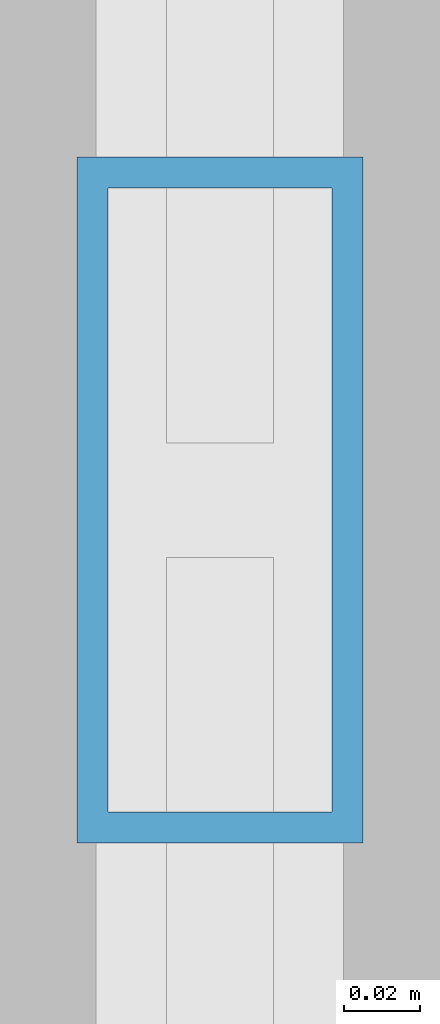
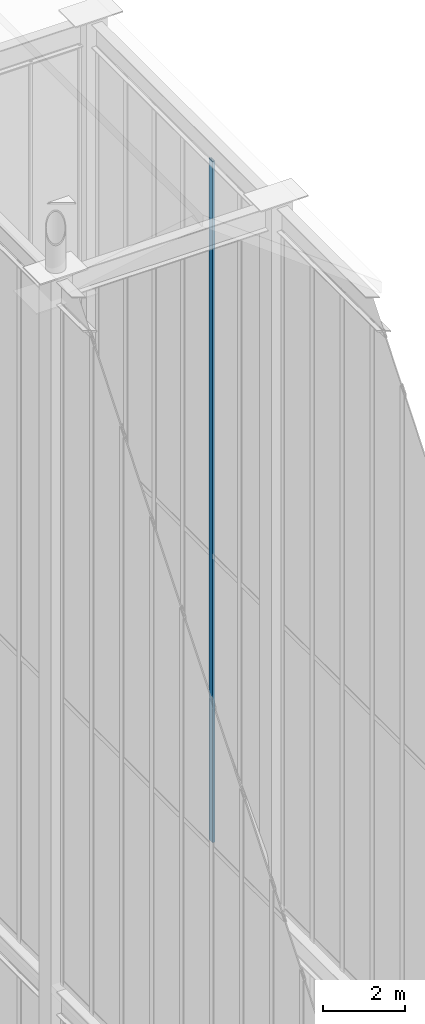
# One storey, part 97 of 135: 1 member, 1 element without a shape of its own.
"""IFC4 building model written with IfcOpenShell, lengths in metres."""

import ifcopenshell
import ifcopenshell.guid

model = None  # the IFC model being written
_history = None  # IfcOwnerHistory: only IFC2X3 demands one
_inside = {}  # id of a spatial element -> (the spatial element, [elements in it])
_under = {}  # id of a project, library or spatial element -> (it, [spatial elements below it])
_declared = {}  # id of a project -> (the project, [libraries it declares])
_typed = {}  # id of a type object -> (the type object, [elements of that type])
_made_of = {}  # id of a material, layer set ... -> (it, [elements and type objects made of it])


def new_model(schema):
    """Start an empty IFC model of exactly this schema.

    Asked for "IFC4X3", IfcOpenShell would pick the latest addendum, in which some entities
    have other attributes; the version numbers below select the first issue.
    IFC2X3 requires an IfcOwnerHistory on every rooted entity: one is made here for all.
    """
    global model, _history
    if schema == "IFC4X3":
        model = ifcopenshell.file(schema_version=(4, 3, 0, 0))
    else:
        model = ifcopenshell.file(schema=schema)
    _inside.clear()
    _under.clear()
    _declared.clear()
    _typed.clear()
    _made_of.clear()
    _history = None
    if model.schema == "IFC2X3":
        org = make("IfcOrganization", Name="unknown")
        user = make(
            "IfcPersonAndOrganization",
            ThePerson=make("IfcPerson", FamilyName="unknown"),
            TheOrganization=org,
        )
        app = make(
            "IfcApplication",
            ApplicationDeveloper=org,
            Version="unknown",
            ApplicationFullName="unknown",
            ApplicationIdentifier="unknown",
        )
        _history = make(
            "IfcOwnerHistory",
            OwningUser=user,
            OwningApplication=app,
            ChangeAction="ADDED",
            CreationDate=0,
        )
    return model


def make(cls, **values):
    """One entity of the class cls with the attributes given. An attribute that is None is left unset."""
    return model.create_entity(
        cls, **{name: value for name, value in values.items() if value is not None}
    )


def rooted(cls, **values):
    """An entity with a GlobalId (a new one), such as an element, a storey or a relation."""
    return make(cls, GlobalId=ifcopenshell.guid.new(), OwnerHistory=_history, **values)


def si_unit(unit_type, name, prefix=None):
    """IfcSIUnit, for example si_unit("LENGTHUNIT", "METRE", prefix="MILLI")."""
    return make("IfcSIUnit", UnitType=unit_type, Prefix=prefix, Name=name)


def assignment(units):
    """IfcUnitAssignment: the units of a project."""
    return None if units is None else make("IfcUnitAssignment", Units=units)


def point(xyz):
    """IfcCartesianPoint."""
    return None if xyz is None else make("IfcCartesianPoint", Coordinates=xyz)


def direction(xyz):
    """IfcDirection."""
    return None if xyz is None else make("IfcDirection", DirectionRatios=xyz)


def frame(location, z_axis=None, x_axis=None):
    """IfcAxis2Placement3D, a coordinate frame: its origin and axes. An axis left out is left unset."""
    return make(
        "IfcAxis2Placement3D",
        Location=point(location),
        Axis=direction(z_axis),
        RefDirection=direction(x_axis),
    )


def frame_2d(location, x_axis=None):
    """IfcAxis2Placement2D, a coordinate frame in the plane: its origin and x axis."""
    return make(
        "IfcAxis2Placement2D", Location=point(location), RefDirection=direction(x_axis)
    )


def origin():
    """The frame at (0, 0, 0) with its axes left unset."""
    return frame((0.0, 0.0, 0.0))


def origin_2d():
    """The frame at (0, 0) in the plane with its x axis left unset."""
    return frame_2d((0.0, 0.0))


def place(relative_to, where):
    """IfcLocalPlacement: puts the frame where relative to a parent placement (None: the world)."""
    return make(
        "IfcLocalPlacement", PlacementRelTo=relative_to, RelativePlacement=where
    )


def context(
    kind, dimensions, precision=None, world=None, true_north=None, identifier=None
):
    """IfcGeometricRepresentationContext, for example the 3D "Model" context."""
    return make(
        "IfcGeometricRepresentationContext",
        ContextIdentifier=identifier,
        ContextType=kind,
        CoordinateSpaceDimension=dimensions,
        Precision=precision,
        WorldCoordinateSystem=world,
        TrueNorth=true_north,
    )


def subcontext(parent, identifier, kind, view, scale=None):
    """IfcGeometricRepresentationSubContext, for example "Body" below "Model"."""
    return make(
        "IfcGeometricRepresentationSubContext",
        ContextIdentifier=identifier,
        ContextType=kind,
        ParentContext=parent,
        TargetScale=scale,
        TargetView=view,
    )


def project(units=None, contexts=None):
    """IfcProject with its units and contexts."""
    return rooted(
        "IfcProject",
        Name="project",
        RepresentationContexts=contexts,
        UnitsInContext=assignment(units),
    )


def spatial(cls, under=None, at=None, **own):
    """A site, building, storey or space (cls), placed at a placement, below another one or the project."""
    s = rooted(cls, ObjectPlacement=at, **own)
    if under is not None:
        _under.setdefault(under.id(), (under, []))[1].append(s)
    return s


def profile(cls, at=None, kind="AREA", **sizes):
    """A parametric profile (cls). Its sizes go by their IFC names, for example OverallWidth=200.0."""
    return make(cls, ProfileType=kind, Position=at, **sizes)


def hollow_rectangle(**sizes):
    """IfcRectangleHollowProfileDef."""
    return profile("IfcRectangleHollowProfileDef", **sizes)


def extrude(swept, where, along, depth):
    """IfcExtrudedAreaSolid: the profile swept, set in the frame where, extruded along a direction by depth."""
    return make(
        "IfcExtrudedAreaSolid",
        SweptArea=swept,
        Position=where,
        ExtrudedDirection=direction(along),
        Depth=depth,
    )


def shape(context_of_items, identifier, shape_type, items):
    """IfcShapeRepresentation: the items that make up one representation, for example the "Body"."""
    return make(
        "IfcShapeRepresentation",
        ContextOfItems=context_of_items,
        RepresentationIdentifier=identifier,
        RepresentationType=shape_type,
        Items=items,
    )


def source(mapping_origin, context_of_items, identifier, shape_type, items):
    """IfcRepresentationMap: a shape defined once, which mapped items show again and again."""
    return make(
        "IfcRepresentationMap",
        MappingOrigin=mapping_origin,
        MappedRepresentation=shape(context_of_items, identifier, shape_type, items),
    )


def transform(
    local_origin,
    x_axis=None,
    y_axis=None,
    z_axis=None,
    scale=None,
    scale2=None,
    scale3=None,
    uniform=True,
):
    """IfcCartesianTransformationOperator3D, or its non-uniform kind. x_axis, y_axis, z_axis: its Axis1, 2, 3."""
    if uniform:
        return make(
            "IfcCartesianTransformationOperator3D",
            Axis1=direction(x_axis),
            Axis2=direction(y_axis),
            LocalOrigin=point(local_origin),
            Scale=scale,
            Axis3=direction(z_axis),
        )
    return make(
        "IfcCartesianTransformationOperator3DnonUniform",
        Axis1=direction(x_axis),
        Axis2=direction(y_axis),
        LocalOrigin=point(local_origin),
        Scale=scale,
        Axis3=direction(z_axis),
        Scale2=scale2,
        Scale3=scale3,
    )


def mapped(mapping_source, mapping_target):
    """IfcMappedItem: shows the shape of a source again, moved by a transform."""
    return make(
        "IfcMappedItem", MappingSource=mapping_source, MappingTarget=mapping_target
    )


def material(Name=None, Category=None):
    """IfcMaterial."""
    return make("IfcMaterial", Name=Name, Category=Category)


def layer(
    of_material, thickness, ventilated=None, Name=None, Category=None, Priority=None
):
    """IfcMaterialLayer: one layer of a wall or slab, of a material (None: an air gap)."""
    return make(
        "IfcMaterialLayer",
        Material=of_material,
        LayerThickness=thickness,
        IsVentilated=ventilated,
        Name=Name,
        Category=Category,
        Priority=Priority,
    )


def layer_set(layers, Name=None):
    """IfcMaterialLayerSet."""
    return make("IfcMaterialLayerSet", MaterialLayers=layers, LayerSetName=Name)


def material_profile(
    of_material, cross_section, Name=None, Category=None, Priority=None
):
    """IfcMaterialProfile: a cross section and its material."""
    return make(
        "IfcMaterialProfile",
        Name=Name,
        Material=of_material,
        Profile=cross_section,
        Priority=Priority,
        Category=Category,
    )


def profile_set(profiles, Name=None, composite=None):
    """IfcMaterialProfileSet."""
    return make(
        "IfcMaterialProfileSet",
        Name=Name,
        MaterialProfiles=profiles,
        CompositeProfile=composite,
    )


def made_of(thing, what):
    """Note that an element or type object is made of a material, layer set ...; save() writes the relation."""
    if what is not None:
        _made_of.setdefault(what.id(), (what, []))[1].append(thing)
    return thing


def type_object(cls, material=None, **own):
    """A type object (cls), such as IfcWallType, which elements share."""
    return made_of(rooted(cls, **own), material)


def element(
    cls,
    number,
    at=None,
    inside=None,
    cuts=None,
    type_object=None,
    material=None,
    context=None,
    identifier="Body",
    shape_type=None,
    held_by="IfcProductDefinitionShape",
    body=None,
    shapes=None,
    **own,
):
    """One element of the class cls, such as IfcWall. Its Tag is "e" and its number.

    at: its placement. inside: the storey or other place that contains it. cuts: it is an
    opening in that element (IfcRelVoidsElement). A single representation is given by context,
    identifier, shape_type and body (its items); several are given by shapes. held_by: the class
    of the entity that holds the representations. save() writes the other relations.
    """
    e = rooted(cls, Tag="e%d" % number, ObjectPlacement=at, **own)
    if body is not None:
        shapes = [shape(context, identifier, shape_type, body)]
    if shapes is not None:
        e.Representation = make(held_by, Representations=shapes)
    if inside is not None:
        _inside.setdefault(inside.id(), (inside, []))[1].append(e)
    if cuts is not None:
        rooted(
            "IfcRelVoidsElement", RelatingBuildingElement=cuts, RelatedOpeningElement=e
        )
    if type_object is not None:
        _typed.setdefault(type_object.id(), (type_object, []))[1].append(e)
    return made_of(e, material)


def aggregate(whole, parts):
    """IfcRelAggregates: a whole, such as a stair, and the parts it consists of."""
    return rooted("IfcRelAggregates", RelatingObject=whole, RelatedObjects=parts)


def save(model, path):
    """Write the relations noted so far, then the file.

    IfcRelAggregates (storeys below a building ...), IfcRelContainedInSpatialStructure (elements
    in a storey), IfcRelDefinesByType, IfcRelAssociatesMaterial and IfcRelDeclares: one each for
    every whole, place, type object, material and project.
    """
    for whole, parts in _under.values():
        aggregate(whole, parts)
    for where, things in _inside.values():
        rooted(
            "IfcRelContainedInSpatialStructure",
            RelatedElements=things,
            RelatingStructure=where,
        )
    for kind, things in _typed.values():
        rooted("IfcRelDefinesByType", RelatedObjects=things, RelatingType=kind)
    for what, things in _made_of.values():
        rooted("IfcRelAssociatesMaterial", RelatedObjects=things, RelatingMaterial=what)
    for by, libraries in _declared.values():
        rooted("IfcRelDeclares", RelatingContext=by, RelatedDefinitions=libraries)
    model.write(path)


model = new_model("IFC4")

# Units and contexts
model_context = context("Model", 3, precision=1e-05, world=origin(), true_north=direction((0.0, 1.0)))
body_context = subcontext(model_context, "Body", "Model", "MODEL_VIEW")
ifc_project = project(units=[si_unit("LENGTHUNIT", "METRE"), si_unit("AREAUNIT", "SQUARE_METRE"), si_unit("VOLUMEUNIT", "CUBIC_METRE"), si_unit("PLANEANGLEUNIT", "RADIAN"), si_unit("MASSUNIT", "GRAM", prefix="KILO")], contexts=[model_context])

# Site, building, storey
site_placement = place(None, origin())
site = spatial("IfcSite", under=ifc_project, at=site_placement, CompositionType="ELEMENT")
building_placement = place(site_placement, origin())
building = spatial("IfcBuilding", under=site, at=building_placement, Name="Giltprow Tower", CompositionType="ELEMENT")
storey_placement = place(building_placement, frame((0.0, 0.0, 352.699951171875)))
storey = spatial("IfcBuildingStorey", under=building, at=storey_placement, Name="L92", CompositionType="ELEMENT", Elevation=352.699951171875)

# Curtain wall, member
ifc_material = material(Name="Anodized bronze", Category="metal")
ifc_layer = layer(ifc_material, 0.179931640625, Name="Anodized bronze")
ifc_layer_set = layer_set([ifc_layer], Name="Anodized bronze")
curtain_wall_type = type_object("IfcCurtainWallType", Name="CW-CROWN-LANTERN", PredefinedType="NOTDEFINED", material=ifc_layer_set)
curtain_wall_placement = place(storey_placement, origin())
curtain_wall = element("IfcCurtainWall", 1, at=curtain_wall_placement, inside=storey, type_object=curtain_wall_type, Name="Crown East Upper Lantern Glazing 3", PredefinedType="NOTDEFINED")
ifc_material_profile = material_profile(ifc_material, hollow_rectangle(XDim=0.074951171875, YDim=0.179931640625, WallThickness=0.008056640625, at=origin_2d()), Name="RHS 180x75x8")
ifc_profile_set = profile_set([ifc_material_profile], Name="Anodized bronze")
member_type = type_object("IfcMemberType", Name="CW-MULLION-180x75", PredefinedType="MULLION", material=ifc_profile_set)
shared_shape = source(origin(), body_context, "Body", "SweptSolid", [
    extrude(hollow_rectangle(XDim=0.074951171875, YDim=0.179931640625, WallThickness=0.008056640625, at=origin_2d()), origin(), (0.0, 0.0, 1.0), 20.406005859375),
])
member_placement = place(storey_placement, frame((50.550048828125, 40.60009765625, 17.25), z_axis=(0.0, 0.0, 1.0), x_axis=(1.0, 0.0, 0.0)))
member = element("IfcMember", 2, at=member_placement, type_object=member_type, Name="Crown East Upper Lantern Glazing 3 Mullion 3", PredefinedType="MULLION", context=body_context, shape_type="MappedRepresentation", body=[
    mapped(shared_shape, transform((0.0, 0.0, 0.0), x_axis=(1.0, 0.0, 0.0), y_axis=(0.0, 1.0, 0.0), z_axis=(0.0, 0.0, 1.0), scale=1.0)),
])
aggregate(curtain_wall, [member])

save(model, "model.ifc")
